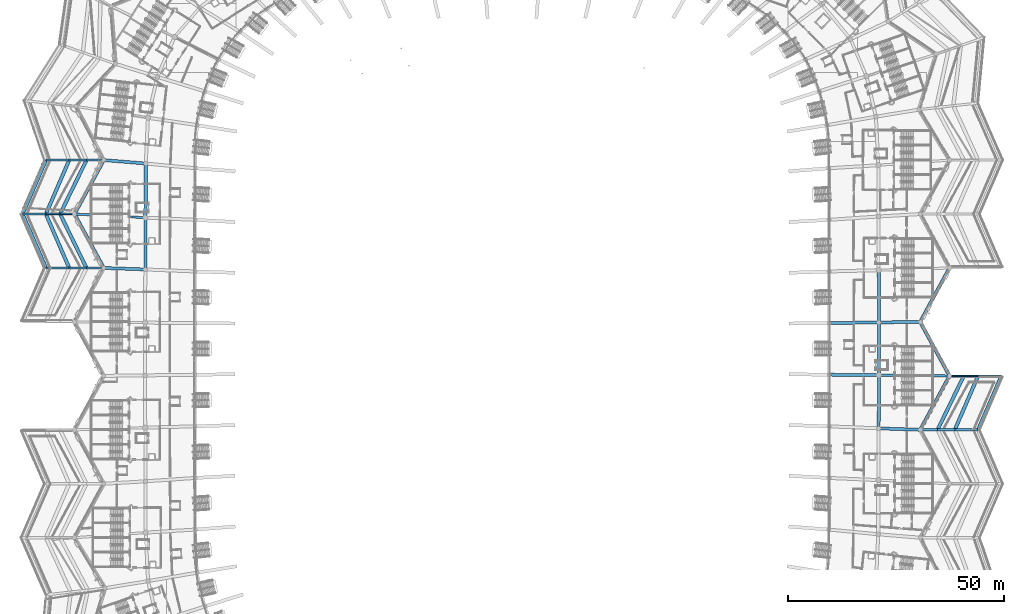
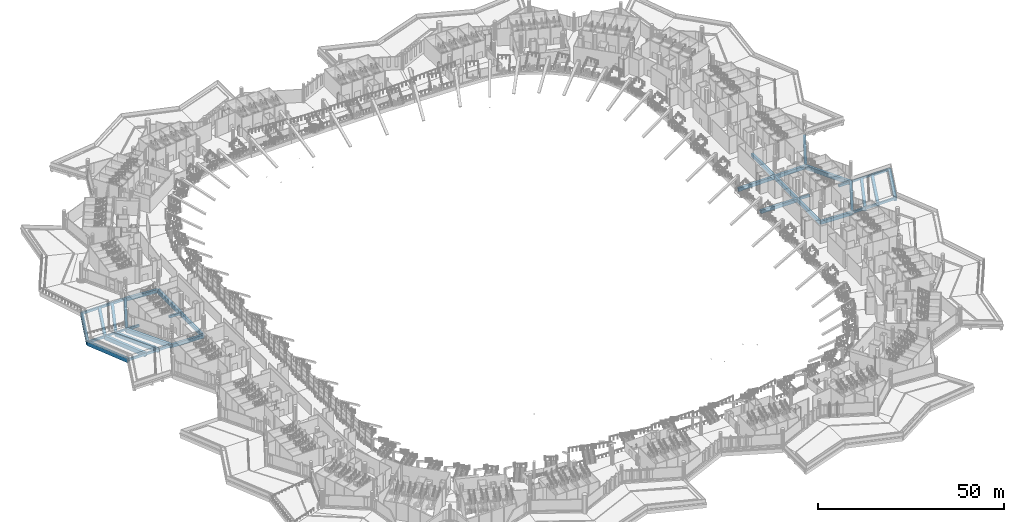
# One storey, part 14 of 173: 44 beams.
"""IFC4 building model written with IfcOpenShell, lengths in metres."""

from ifc_helpers import new_model, si_unit, direction, frame, origin, origin_2d, place, context, subcontext, project, spatial, rectangle, extrude, material, material_profile, profile_set, type_object, element, save


model = new_model("IFC4")

# Units and contexts
model_context = context("Model", 3, precision=1e-05, world=origin(), true_north=direction((0.0, 1.0)))
body_context = subcontext(model_context, "Body", "Model", "MODEL_VIEW")
ifc_project = project(units=[si_unit("LENGTHUNIT", "METRE"), si_unit("AREAUNIT", "SQUARE_METRE"), si_unit("VOLUMEUNIT", "CUBIC_METRE"), si_unit("PLANEANGLEUNIT", "RADIAN"), si_unit("MASSUNIT", "GRAM", prefix="KILO")], contexts=[model_context])

# Site, building, storey
site_placement = place(None, origin())
site = spatial("IfcSite", under=ifc_project, at=site_placement, CompositionType="ELEMENT")
building_placement = place(site_placement, origin())
building = spatial("IfcBuilding", under=site, at=building_placement, Name="Meseta Stadium", CompositionType="ELEMENT")
storey_placement = place(building_placement, frame((0.0, 0.0, 18.0)))
storey = spatial("IfcBuildingStorey", under=building, at=storey_placement, Name="L03", CompositionType="ELEMENT", Elevation=18.0)

# Beams
ifc_material_1 = material(Name="Concrete C40/50", Category="concrete")
ifc_material_profile_1 = material_profile(ifc_material_1, rectangle(XDim=0.39990234375, YDim=0.60009765625, at=origin_2d()), Name="RC 400x600")
ifc_profile_set_1 = profile_set([ifc_material_profile_1], Name="Concrete C40/50")
beam_type_1 = type_object("IfcBeamType", Name="RC beam 400x600", PredefinedType="BEAM", material=ifc_profile_set_1)
for number, where, z_axis, x_axis, name in (
    (1, (101.39990234375, -6.25, -0.699951171875), (1.0, 0.0, 0.0), (0.0, 1.0, 0.0), "L03 radial beam frame 4 line R to M"),
    (2, (104.699951171875, -6.25, -0.699951171875), (1.0, 0.0, 0.0), (0.0, 1.0, 0.0), "L03 radial beam frame 4 line M to Q"),
    (3, (-101.39990234375, 31.25, -0.699951171875), (-1.0, 0.0, 0.0), (0.0, -1.0, 0.0), "L03 radial beam frame 30 line R to M"),
    (4, (-104.699951171875, 31.25, -0.699951171875), (-1.0, 0.0, 0.0), (0.0, -1.0, 0.0), "L03 radial beam frame 30 line M to Q"),
):
    element("IfcBeam", number, at=place(storey_placement, frame(where, z_axis=z_axis, x_axis=x_axis)), inside=storey, type_object=beam_type_1, Name=name, PredefinedType="BEAM", context=body_context, shape_type="SweptSolid", body=[
        extrude(rectangle(XDim=0.39990234375, YDim=0.60009765625, at=origin_2d()), origin(), (0.0, 0.0, 1.0), 3.300048828125),
    ])
ifc_material_2 = material(Name="Concrete C40/50", Category="concrete")
ifc_material_profile_2 = material_profile(ifc_material_2, rectangle(XDim=0.5, YDim=0.75, at=origin_2d()), Name="RC 500x750")
ifc_profile_set_2 = profile_set([ifc_material_profile_2], Name="Concrete C40/50")
beam_type_2 = type_object("IfcBeamType", Name="RC beam 500x750", PredefinedType="BEAM", material=ifc_profile_set_2)
beam_1_placement = place(storey_placement, frame((84.99755859375, -6.081298828125, -0.72509765625), z_axis=(0.999946950007, -0.010300348089, 0.0), x_axis=(0.010300348089, 0.999946950007, 0.0)))
element("IfcBeam", 5, at=beam_1_placement, inside=storey, type_object=beam_type_2, Name="L03 radial beam frame 4 line P to R", PredefinedType="BEAM", context=body_context, shape_type="SweptSolid", body=[
    extrude(rectangle(XDim=0.5, YDim=0.75, at=origin_2d()), origin(), (0.0, 0.0, 1.0), 3.602783203125),
])
beam_2_placement = place(storey_placement, frame((97.60009765625, -6.2109375, -0.72509765625), z_axis=(0.999947163614, -0.010279590477, 0.0), x_axis=(0.010279590477, 0.999947163614, 0.0)))
element("IfcBeam", 6, at=beam_2_placement, inside=storey, type_object=beam_type_2, Name="L03 radial beam frame 4 line P to R", PredefinedType="BEAM", context=body_context, shape_type="SweptSolid", body=[
    extrude(rectangle(XDim=0.5, YDim=0.75, at=origin_2d()), origin(), (0.0, 0.0, 1.0), 3.800048828125),
])
beam_3_placement = place(storey_placement, frame((-84.940673828125, 30.404052734375, -0.72509765625), z_axis=(-0.998683115753, 0.051303355736, 0.0), x_axis=(-0.051303355736, -0.998683115753, 0.0)))
element("IfcBeam", 7, at=beam_3_placement, inside=storey, type_object=beam_type_2, Name="L03 radial beam frame 30 line P to R", PredefinedType="BEAM", context=body_context, shape_type="SweptSolid", body=[
    extrude(rectangle(XDim=0.5, YDim=0.75, at=origin_2d()), origin(), (0.0, 0.0, 1.0), 3.664306640625),
])
beam_4_placement = place(storey_placement, frame((-97.60009765625, 31.0546875, -0.72509765625), z_axis=(-0.998681597522, 0.05133290144, 0.0), x_axis=(-0.05133290144, -0.998681597522, 0.0)))
element("IfcBeam", 8, at=beam_4_placement, inside=storey, type_object=beam_type_2, Name="L03 radial beam frame 30 line P to R", PredefinedType="BEAM", context=body_context, shape_type="SweptSolid", body=[
    extrude(rectangle(XDim=0.5, YDim=0.75, at=origin_2d()), origin(), (0.0, 0.0, 1.0), 3.804931640625),
])
for number, where, z_axis, x_axis, name in (
    (9, (94.60009765625, -18.75, -0.77490234375), (1.0, 0.0, 0.0), (0.0, 1.0, 0.0), "L03 radial beam frame 3 line R to M"),
    (10, (98.60009765625, -18.75, -0.77490234375), (1.0, 0.0, 0.0), (0.0, 1.0, 0.0), "L03 radial beam frame 3 line M to Q"),
):
    element("IfcBeam", number, at=place(storey_placement, frame(where, z_axis=z_axis, x_axis=x_axis)), inside=storey, type_object=beam_type_2, Name=name, PredefinedType="BEAM", context=body_context, shape_type="SweptSolid", body=[
        extrude(rectangle(XDim=0.5, YDim=0.75, at=origin_2d()), origin(), (0.0, 0.0, 1.0), 4.0),
    ])
for number, where, z_axis, x_axis, name in (
    (11, (102.60009765625, -18.75, -0.77490234375), (1.0, 0.0, 0.0), (0.0, 1.0, 0.0), "L03 radial beam frame 3 line Q to O"),
    (12, (108.0, -6.25, -0.77490234375), (1.0, 0.0, 0.0), (0.0, 1.0, 0.0), "L03 radial beam frame 4 line Q to O"),
):
    element("IfcBeam", number, at=place(storey_placement, frame(where, z_axis=z_axis, x_axis=x_axis)), inside=storey, type_object=beam_type_2, Name=name, PredefinedType="BEAM", context=body_context, shape_type="SweptSolid", body=[
        extrude(rectangle(XDim=0.5, YDim=0.75, at=origin_2d()), origin(), (0.0, 0.0, 1.0), 5.39990234375),
    ])
for number, where, z_axis, x_axis, name in (
    (13, (-94.60009765625, 43.75, -0.77490234375), (-1.0, 0.0, 0.0), (0.0, -1.0, 0.0), "L03 radial beam frame 29 line R to M"),
    (14, (-98.60009765625, 43.75, -0.77490234375), (-1.0, 0.0, 0.0), (0.0, -1.0, 0.0), "L03 radial beam frame 29 line M to Q"),
):
    element("IfcBeam", number, at=place(storey_placement, frame(where, z_axis=z_axis, x_axis=x_axis)), inside=storey, type_object=beam_type_2, Name=name, PredefinedType="BEAM", context=body_context, shape_type="SweptSolid", body=[
        extrude(rectangle(XDim=0.5, YDim=0.75, at=origin_2d()), origin(), (0.0, 0.0, 1.0), 4.0),
    ])
for number, where, z_axis, x_axis, name in (
    (15, (-102.60009765625, 43.75, -0.77490234375), (-1.0, 0.0, 0.0), (0.0, -1.0, 0.0), "L03 radial beam frame 29 line Q to O"),
    (16, (-108.0, 31.25, -0.77490234375), (-1.0, 0.0, 0.0), (0.0, -1.0, 0.0), "L03 radial beam frame 30 line Q to O"),
):
    element("IfcBeam", number, at=place(storey_placement, frame(where, z_axis=z_axis, x_axis=x_axis)), inside=storey, type_object=beam_type_2, Name=name, PredefinedType="BEAM", context=body_context, shape_type="SweptSolid", body=[
        extrude(rectangle(XDim=0.5, YDim=0.75, at=origin_2d()), origin(), (0.0, 0.0, 1.0), 5.39990234375),
    ])
for number, where, z_axis, x_axis, name in (
    (17, (-94.60009765625, 18.75, -0.77490234375), (-1.0, 0.0, 0.0), (0.0, -1.0, 0.0), "L03 radial beam frame 31 line R to M"),
    (18, (-98.60009765625, 18.75, -0.77490234375), (-1.0, 0.0, 0.0), (0.0, -1.0, 0.0), "L03 radial beam frame 31 line M to Q"),
):
    element("IfcBeam", number, at=place(storey_placement, frame(where, z_axis=z_axis, x_axis=x_axis)), inside=storey, type_object=beam_type_2, Name=name, PredefinedType="BEAM", context=body_context, shape_type="SweptSolid", body=[
        extrude(rectangle(XDim=0.5, YDim=0.75, at=origin_2d()), origin(), (0.0, 0.0, 1.0), 4.0),
    ])
beam_5_placement = place(storey_placement, frame((-102.60009765625, 18.75, -0.77490234375), z_axis=(-1.0, 0.0, 0.0), x_axis=(0.0, -1.0, 0.0)))
element("IfcBeam", 19, at=beam_5_placement, inside=storey, type_object=beam_type_2, Name="L03 radial beam frame 31 line Q to O", PredefinedType="BEAM", context=body_context, shape_type="SweptSolid", body=[
    extrude(rectangle(XDim=0.5, YDim=0.75, at=origin_2d()), origin(), (0.0, 0.0, 1.0), 5.39990234375),
])
ifc_material_3 = material(Name="Concrete C40/50", Category="concrete")
ifc_material_profile_3 = material_profile(ifc_material_3, rectangle(XDim=0.699951171875, YDim=1.10009765625, at=origin_2d()), Name="RC 700x1100")
ifc_profile_set_3 = profile_set([ifc_material_profile_3], Name="Concrete C40/50")
beam_type_3 = type_object("IfcBeamType", Name="RC beam 700x1100", PredefinedType="BEAM", material=ifc_profile_set_3)
beam_6_placement = place(storey_placement, frame((84.97314453125, -18.41064453125, -0.89990234375), z_axis=(0.001980154927, 0.999998039491, 0.0), x_axis=(-0.999998039491, 0.001980154927, 0.0)))
element("IfcBeam", 20, at=beam_6_placement, inside=storey, type_object=beam_type_3, Name="L03 ring beam frame 3 line P", PredefinedType="BEAM", context=body_context, shape_type="SweptSolid", body=[
    extrude(rectangle(XDim=0.699951171875, YDim=1.10009765625, at=origin_2d()), origin(), (0.0, 0.0, 1.0), 12.329345703125),
])
beam_7_placement = place(storey_placement, frame((84.99755859375, -6.081298828125, -0.89990234375), z_axis=(-3.9962435e-05, 0.999999999202, 0.0), x_axis=(-0.999999999202, -3.9962435e-05, 0.0)))
element("IfcBeam", 21, at=beam_7_placement, inside=storey, type_object=beam_type_3, Name="L03 ring beam frame 4 line P", PredefinedType="BEAM", context=body_context, shape_type="SweptSolid", body=[
    extrude(rectangle(XDim=0.699951171875, YDim=1.10009765625, at=origin_2d()), origin(), (0.0, 0.0, 1.0), 12.218505859375),
])
beam_8_placement = place(storey_placement, frame((84.9970703125, 6.13720703125, -0.89990234375), z_axis=(-0.001532627062, 0.999998825526, 0.0), x_axis=(-0.999998825526, -0.001532627062, 0.0)))
element("IfcBeam", 22, at=beam_8_placement, inside=storey, type_object=beam_type_3, Name="L03 ring beam frame 5 line P", PredefinedType="BEAM", context=body_context, shape_type="SweptSolid", body=[
    extrude(rectangle(XDim=0.699951171875, YDim=1.10009765625, at=origin_2d()), origin(), (0.0, 0.0, 1.0), 12.1064453125),
])
beam_9_placement = place(storey_placement, frame((-84.940673828125, 30.404052734375, -0.89990234375), z_axis=(-0.002707369213, -0.999996335069, 0.0), x_axis=(0.999996335069, -0.002707369213, 0.0)))
element("IfcBeam", 23, at=beam_9_placement, inside=storey, type_object=beam_type_3, Name="L03 ring beam frame 30 line P", PredefinedType="BEAM", context=body_context, shape_type="SweptSolid", body=[
    extrude(rectangle(XDim=0.699951171875, YDim=1.10009765625, at=origin_2d()), origin(), (0.0, 0.0, 1.0), 11.993408203125),
])
beam_10_placement = place(storey_placement, frame((84.97314453125, -18.41064453125, -0.89990234375), z_axis=(0.999379277506, -0.035228677108, 0.0), x_axis=(0.035228677108, 0.999379277506, 0.0)))
element("IfcBeam", 24, at=beam_10_placement, inside=storey, type_object=beam_type_3, Name="L03 radial beam frame 3 line P to R", PredefinedType="BEAM", context=body_context, shape_type="SweptSolid", body=[
    extrude(rectangle(XDim=0.699951171875, YDim=1.10009765625, at=origin_2d()), origin(), (0.0, 0.0, 1.0), 9.6328125),
])
for number, where, z_axis, x_axis, name in (
    (25, (73.498046875, -5.981201171875, -0.89990234375), (0.999962117874, -0.008704183863, 0.0), (0.008704183863, 0.999962117874, 0.0), "L03 radial beam frame 4 line E to P"),
    (26, (73.498046875, 5.981201171875, -0.89990234375), (0.9999079826, 0.013565630592, 0.0), (-0.013565630592, 0.9999079826, 0.0), "L03 radial beam frame 5 line E to P"),
):
    element("IfcBeam", number, at=place(storey_placement, frame(where, z_axis=z_axis, x_axis=x_axis)), inside=storey, type_object=beam_type_3, Name=name, PredefinedType="BEAM", context=body_context, shape_type="SweptSolid", body=[
        extrude(rectangle(XDim=0.699951171875, YDim=1.10009765625, at=origin_2d()), origin(), (0.0, 0.0, 1.0), 11.5),
    ])
beam_11_placement = place(storey_placement, frame((84.9970703125, 6.13720703125, -0.89990234375), z_axis=(0.999931028004, 0.01174475352, 0.0), x_axis=(-0.01174475352, 0.999931028004, 0.0)))
element("IfcBeam", 27, at=beam_11_placement, inside=storey, type_object=beam_type_3, Name="L03 radial beam frame 5 line P to R", PredefinedType="BEAM", context=body_context, shape_type="SweptSolid", body=[
    extrude(rectangle(XDim=0.699951171875, YDim=1.10009765625, at=origin_2d()), origin(), (0.0, 0.0, 1.0), 9.603759765625),
])
beam_12_placement = place(storey_placement, frame((-84.85400390625, 42.948486328125, -0.89990234375), z_axis=(-0.996635391437, 0.081962775303, 0.0), x_axis=(-0.081962775303, -0.996635391437, 0.0)))
element("IfcBeam", 28, at=beam_12_placement, inside=storey, type_object=beam_type_3, Name="L03 radial beam frame 29 line P to R", PredefinedType="BEAM", context=body_context, shape_type="SweptSolid", body=[
    extrude(rectangle(XDim=0.699951171875, YDim=1.10009765625, at=origin_2d()), origin(), (0.0, 0.0, 1.0), 9.779052734375),
])
beam_13_placement = place(storey_placement, frame((-84.97314453125, 18.41064453125, -0.89990234375), z_axis=(-0.999379277506, 0.035228677108, 0.0), x_axis=(-0.035228677108, -0.999379277506, 0.0)))
element("IfcBeam", 29, at=beam_13_placement, inside=storey, type_object=beam_type_3, Name="L03 radial beam frame 31 line P to R", PredefinedType="BEAM", context=body_context, shape_type="SweptSolid", body=[
    extrude(rectangle(XDim=0.699951171875, YDim=1.10009765625, at=origin_2d()), origin(), (0.0, 0.0, 1.0), 9.6328125),
])
ifc_material_4 = material(Name="Concrete C40/50", Category="concrete")
ifc_material_profile_4 = material_profile(ifc_material_4, rectangle(XDim=0.800048828125, YDim=1.300048828125, at=origin_2d()), Name="RC 800x1300")
ifc_profile_set_4 = profile_set([ifc_material_profile_4], Name="Concrete C40/50")
beam_type_4 = type_object("IfcBeamType", Name="RC beam 800x1300", PredefinedType="BEAM", material=ifc_profile_set_4)
for number, where, z_axis, x_axis, name in (
    (30, (94.60009765625, -18.75, -1.0), (0.47785649891, 0.878437912689, 0.0), (-0.878437912689, 0.47785649891, 0.0), "L03 ring beam frame 3 line R"),
    (31, (101.39990234375, -6.25, -1.0), (-0.47785649891, 0.878437912689, 0.0), (-0.878437912689, -0.47785649891, 0.0), "L03 ring beam frame 4 line R"),
    (32, (94.60009765625, 6.25, -1.0), (0.47785649891, 0.878437912689, 0.0), (-0.878437912689, 0.47785649891, 0.0), "L03 ring beam frame 5 line R"),
):
    element("IfcBeam", number, at=place(storey_placement, frame(where, z_axis=z_axis, x_axis=x_axis)), inside=storey, type_object=beam_type_4, Name=name, PredefinedType="BEAM", context=body_context, shape_type="SweptSolid", body=[
        extrude(rectangle(XDim=0.800048828125, YDim=1.300048828125, at=origin_2d()), origin(), (0.0, 0.0, 1.0), 14.229736328125),
    ])
beam_14_placement = place(storey_placement, frame((-84.85400390625, 42.948486328125, -1.0), z_axis=(-0.006908869398, -0.999976133477, 0.0), x_axis=(0.999976133477, -0.006908869398, 0.0)))
element("IfcBeam", 33, at=beam_14_placement, inside=storey, type_object=beam_type_4, Name="L03 ring beam frame 29 line P", PredefinedType="BEAM", context=body_context, shape_type="SweptSolid", body=[
    extrude(rectangle(XDim=0.800048828125, YDim=1.300048828125, at=origin_2d()), origin(), (0.0, 0.0, 1.0), 12.544677734375),
])
for number, where, z_axis, x_axis, name in (
    (34, (-94.60009765625, 43.75, -1.0), (-0.47785649891, -0.878437912689, 0.0), (0.878437912689, -0.47785649891, 0.0), "L03 ring beam frame 29 line R"),
    (35, (-101.39990234375, 31.25, -1.0), (0.47785649891, -0.878437912689, 0.0), (0.878437912689, 0.47785649891, 0.0), "L03 ring beam frame 30 line R"),
):
    element("IfcBeam", number, at=place(storey_placement, frame(where, z_axis=z_axis, x_axis=x_axis)), inside=storey, type_object=beam_type_4, Name=name, PredefinedType="BEAM", context=body_context, shape_type="SweptSolid", body=[
        extrude(rectangle(XDim=0.800048828125, YDim=1.300048828125, at=origin_2d()), origin(), (0.0, 0.0, 1.0), 14.229736328125),
    ])
beam_15_placement = place(storey_placement, frame((-98.60009765625, 43.75, -1.050048828125), z_axis=(-0.438556770405, -0.898703487882, 0.0), x_axis=(0.898703487882, -0.438556770405, 0.0)))
element("IfcBeam", 36, at=beam_15_placement, inside=storey, type_object=beam_type_4, Name="L03 ring beam frame 29 line M", PredefinedType="BEAM", context=body_context, shape_type="SweptSolid", body=[
    extrude(rectangle(XDim=0.800048828125, YDim=1.300048828125, at=origin_2d()), origin(), (0.0, 0.0, 1.0), 13.908935546875),
])
for number, where, z_axis, x_axis, name in (
    (37, (-102.60009765625, 43.75, -1.050048828125), (-0.396570645327, -0.918004206562, 0.0), (0.918004206562, -0.396570645327, 0.0), "L03 ring beam frame 29 line Q"),
    (38, (-108.0, 43.75, -1.050048828125), (-0.396570645327, -0.918004206562, 0.0), (0.918004206562, -0.396570645327, 0.0), "L03 ring beam frame 29 line O"),
):
    element("IfcBeam", number, at=place(storey_placement, frame(where, z_axis=z_axis, x_axis=x_axis)), inside=storey, type_object=beam_type_4, Name=name, PredefinedType="BEAM", context=body_context, shape_type="SweptSolid", body=[
        extrude(rectangle(XDim=0.800048828125, YDim=1.300048828125, at=origin_2d()), origin(), (0.0, 0.0, 1.0), 13.616455078125),
    ])
beam_16_placement = place(storey_placement, frame((-104.699951171875, 31.25, -1.050048828125), z_axis=(0.438556770405, -0.898703487882, 0.0), x_axis=(0.898703487882, 0.438556770405, 0.0)))
element("IfcBeam", 39, at=beam_16_placement, inside=storey, type_object=beam_type_4, Name="L03 ring beam frame 30 line M", PredefinedType="BEAM", context=body_context, shape_type="SweptSolid", body=[
    extrude(rectangle(XDim=0.800048828125, YDim=1.300048828125, at=origin_2d()), origin(), (0.0, 0.0, 1.0), 13.908935546875),
])
for number, where, z_axis, x_axis, name in (
    (40, (-108.0, 31.25, -1.050048828125), (0.396570645327, -0.918004206562, 0.0), (0.918004206562, 0.396570645327, 0.0), "L03 ring beam frame 30 line Q"),
    (41, (-113.39990234375, 31.25, -1.050048828125), (0.396570645327, -0.918004206562, 0.0), (0.918004206562, 0.396570645327, 0.0), "L03 ring beam frame 30 line O"),
):
    element("IfcBeam", number, at=place(storey_placement, frame(where, z_axis=z_axis, x_axis=x_axis)), inside=storey, type_object=beam_type_4, Name=name, PredefinedType="BEAM", context=body_context, shape_type="SweptSolid", body=[
        extrude(rectangle(XDim=0.800048828125, YDim=1.300048828125, at=origin_2d()), origin(), (0.0, 0.0, 1.0), 13.616455078125),
    ])
beam_17_placement = place(storey_placement, frame((98.60009765625, -18.75, -1.050048828125), z_axis=(0.438556770405, 0.898703487882, 0.0), x_axis=(-0.898703487882, 0.438556770405, 0.0)))
element("IfcBeam", 42, at=beam_17_placement, inside=storey, type_object=beam_type_4, Name="L03 ring beam frame 3 line M", PredefinedType="BEAM", context=body_context, shape_type="SweptSolid", body=[
    extrude(rectangle(XDim=0.800048828125, YDim=1.300048828125, at=origin_2d()), origin(), (0.0, 0.0, 1.0), 13.908935546875),
])
for number, where, z_axis, x_axis, name in (
    (43, (102.60009765625, -18.75, -1.050048828125), (0.396570645327, 0.918004206562, 0.0), (-0.918004206562, 0.396570645327, 0.0), "L03 ring beam frame 3 line Q"),
    (44, (108.0, -18.75, -1.050048828125), (0.396570645327, 0.918004206562, 0.0), (-0.918004206562, 0.396570645327, 0.0), "L03 ring beam frame 3 line O"),
):
    element("IfcBeam", number, at=place(storey_placement, frame(where, z_axis=z_axis, x_axis=x_axis)), inside=storey, type_object=beam_type_4, Name=name, PredefinedType="BEAM", context=body_context, shape_type="SweptSolid", body=[
        extrude(rectangle(XDim=0.800048828125, YDim=1.300048828125, at=origin_2d()), origin(), (0.0, 0.0, 1.0), 13.616455078125),
    ])

save(model, "model.ifc")
